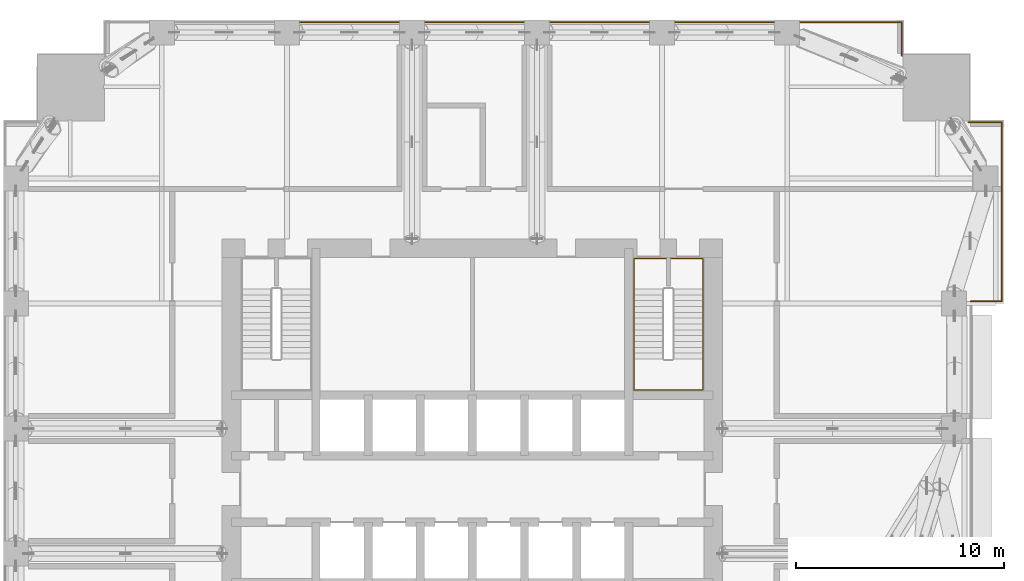
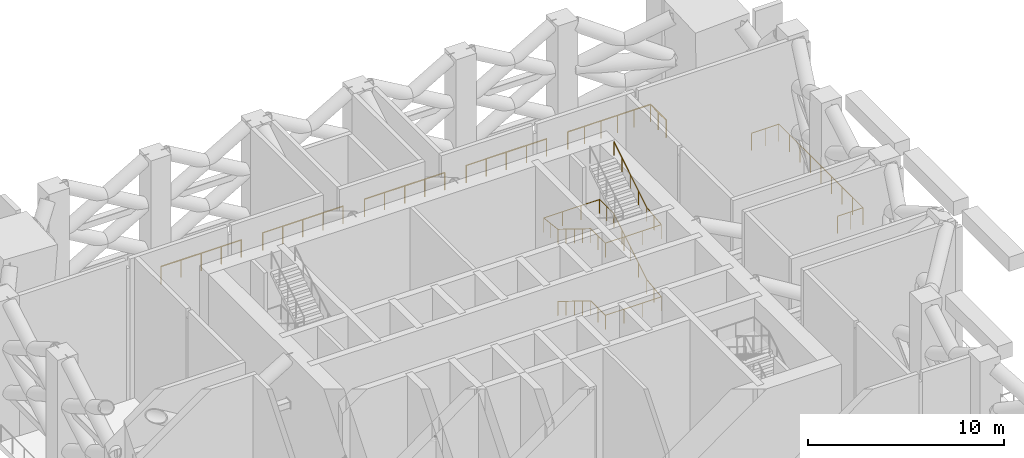
# One storey, part 18 of 18: 10 railings.
"""IFC4 building model written with IfcOpenShell, lengths in metres."""

from ifc_helpers import new_model, si_unit, direction, frame, origin, origin_2d, place, context, subcontext, project, spatial, circle, extrude, material, type_object, element, save


model = new_model("IFC4")

# Units and contexts
model_context = context("Model", 3, precision=1e-05, world=origin(), true_north=direction((0.0, 1.0)))
body_context = subcontext(model_context, "Body", "Model", "MODEL_VIEW")
ifc_project = project(units=[si_unit("LENGTHUNIT", "METRE"), si_unit("AREAUNIT", "SQUARE_METRE"), si_unit("VOLUMEUNIT", "CUBIC_METRE"), si_unit("PLANEANGLEUNIT", "RADIAN"), si_unit("MASSUNIT", "GRAM", prefix="KILO")], contexts=[model_context])

# Site, building, storey
site_placement = place(None, origin())
site = spatial("IfcSite", under=ifc_project, at=site_placement, CompositionType="ELEMENT")
building_placement = place(site_placement, origin())
building = spatial("IfcBuilding", under=site, at=building_placement, Name="Amberfall Residences", CompositionType="ELEMENT")
storey_placement = place(building_placement, frame((0.0, 0.0, 69.699951171875)))
storey = spatial("IfcBuildingStorey", under=building, at=storey_placement, Name="L19", CompositionType="ELEMENT", Elevation=69.699951171875)

# Railings
ifc_material_1 = material(Name="Bronze anodised aluminium and laminated glass", Category="aluminium")
railing_type_1 = type_object("IfcRailingType", Name="Refuge edge guard 1100", PredefinedType="GUARDRAIL", material=ifc_material_1)
for number, where, name in (
    (1, (66.22998046875, 67.89990234375, 0.0), "Refuge edge guard L19 21"),
    (2, (72.22998046875, 67.89990234375, 0.0), "Refuge edge guard L19 22"),
    (3, (78.22998046875, 67.89990234375, 0.0), "Refuge edge guard L19 23"),
    (4, (84.22998046875, 67.89990234375, 0.0), "Refuge edge guard L19 24"),
):
    element("IfcRailing", number, at=place(storey_placement, frame(where)), inside=storey, type_object=railing_type_1, Name=name, PredefinedType="GUARDRAIL", context=body_context, shape_type="SweptSolid", body=[
        extrude(circle(Radius=0.02392578125, at=origin_2d()), frame((0.0, 0.0, 1.076171875), z_axis=(1.0, 0.0, 0.0), x_axis=(0.0, 1.0, 0.0)), (0.0, 0.0, 1.0), 4.739990234375),
        extrude(circle(Radius=0.02099609375, at=origin_2d()), origin(), (0.0, 0.0, 1.0), 1.052001953125),
        extrude(circle(Radius=0.02099609375, at=origin_2d()), frame((1.18505859375, 0.0, 0.0)), (0.0, 0.0, 1.0), 1.052001953125),
        extrude(circle(Radius=0.02099609375, at=origin_2d()), frame((2.3701171875, 0.0, 0.0)), (0.0, 0.0, 1.0), 1.052001953125),
        extrude(circle(Radius=0.02099609375, at=origin_2d()), frame((3.554931640625, 0.0, 0.0)), (0.0, 0.0, 1.0), 1.052001953125),
        extrude(circle(Radius=0.02099609375, at=origin_2d()), frame((4.739990234375, 0.0, 0.0)), (0.0, 0.0, 1.0), 1.052001953125),
    ])
railing_1_placement = place(storey_placement, frame((90.22998046875, 67.89990234375, 0.0)))
element("IfcRailing", 5, at=railing_1_placement, inside=storey, type_object=railing_type_1, Name="Refuge edge guard L19 25", PredefinedType="GUARDRAIL", context=body_context, shape_type="SweptSolid", body=[
    extrude(circle(Radius=0.02392578125, at=origin_2d()), frame((0.0, 0.0, 1.076171875), z_axis=(1.0, 0.0, 0.0), x_axis=(0.0, 1.0, 0.0)), (0.0, 0.0, 1.0), 4.8701171875),
    extrude(circle(Radius=0.02099609375, at=origin_2d()), origin(), (0.0, 0.0, 1.0), 1.052001953125),
    extrude(circle(Radius=0.02099609375, at=origin_2d()), frame((0.97412109375, 0.0, 0.0)), (0.0, 0.0, 1.0), 1.052001953125),
    extrude(circle(Radius=0.02099609375, at=origin_2d()), frame((1.947998046875, 0.0, 0.0)), (0.0, 0.0, 1.0), 1.052001953125),
    extrude(circle(Radius=0.02099609375, at=origin_2d()), frame((2.922119140625, 0.0, 0.0)), (0.0, 0.0, 1.0), 1.052001953125),
    extrude(circle(Radius=0.02099609375, at=origin_2d()), frame((3.89599609375, 0.0, 0.0)), (0.0, 0.0, 1.0), 1.052001953125),
    extrude(circle(Radius=0.02099609375, at=origin_2d()), frame((4.8701171875, 0.0, 0.0)), (0.0, 0.0, 1.0), 1.052001953125),
])
railing_2_placement = place(storey_placement, frame((95.10009765625, 67.89990234375, 0.0)))
element("IfcRailing", 6, at=railing_2_placement, inside=storey, type_object=railing_type_1, Name="Refuge edge guard L19 26", PredefinedType="GUARDRAIL", context=body_context, shape_type="SweptSolid", body=[
    extrude(circle(Radius=0.02392578125, at=origin_2d()), frame((0.0, 0.0, 1.076171875), z_axis=(0.0, -1.0, 0.0), x_axis=(1.0, 0.0, 0.0)), (0.0, 0.0, 1.0), 1.608154296875),
    extrude(circle(Radius=0.02099609375, at=origin_2d()), origin(), (0.0, 0.0, 1.0), 1.052001953125),
    extrude(circle(Radius=0.02099609375, at=origin_2d()), frame((0.0, -0.80419921875, 0.0)), (0.0, 0.0, 1.0), 1.052001953125),
    extrude(circle(Radius=0.02099609375, at=origin_2d()), frame((0.0, -1.608154296875, 0.0)), (0.0, 0.0, 1.0), 1.052001953125),
])
railing_3_placement = place(storey_placement, frame((98.291748046875, 63.10009765625, 0.0)))
element("IfcRailing", 7, at=railing_3_placement, inside=storey, type_object=railing_type_1, Name="Refuge edge guard L19 27", PredefinedType="GUARDRAIL", context=body_context, shape_type="SweptSolid", body=[
    extrude(circle(Radius=0.02392578125, at=origin_2d()), frame((0.0, 0.0, 1.076171875), z_axis=(1.0, 0.0, 0.0), x_axis=(0.0, 1.0, 0.0)), (0.0, 0.0, 1.0), 1.608154296875),
    extrude(circle(Radius=0.02099609375, at=origin_2d()), origin(), (0.0, 0.0, 1.0), 1.052001953125),
    extrude(circle(Radius=0.02099609375, at=origin_2d()), frame((0.80419921875, 0.0, 0.0)), (0.0, 0.0, 1.0), 1.052001953125),
    extrude(circle(Radius=0.02099609375, at=origin_2d()), frame((1.608154296875, 0.0, 0.0)), (0.0, 0.0, 1.0), 1.052001953125),
])
railing_4_placement = place(storey_placement, frame((99.89990234375, 63.10009765625, 0.0)))
element("IfcRailing", 8, at=railing_4_placement, inside=storey, type_object=railing_type_1, Name="Refuge edge guard L19 28", PredefinedType="GUARDRAIL", context=body_context, shape_type="SweptSolid", body=[
    extrude(circle(Radius=0.02392578125, at=origin_2d()), frame((0.0, 0.0, 1.076171875), z_axis=(0.0, -1.0, 0.0), x_axis=(1.0, 0.0, 0.0)), (0.0, 0.0, 1.0), 8.60009765625),
    extrude(circle(Radius=0.02099609375, at=origin_2d()), origin(), (0.0, 0.0, 1.0), 1.052001953125),
    extrude(circle(Radius=0.02099609375, at=origin_2d()), frame((0.0, -1.074951171875, 0.0)), (0.0, 0.0, 1.0), 1.052001953125),
    extrude(circle(Radius=0.02099609375, at=origin_2d()), frame((0.0, -2.14990234375, 0.0)), (0.0, 0.0, 1.0), 1.052001953125),
    extrude(circle(Radius=0.02099609375, at=origin_2d()), frame((0.0, -3.22509765625, 0.0)), (0.0, 0.0, 1.0), 1.052001953125),
    extrude(circle(Radius=0.02099609375, at=origin_2d()), frame((0.0, -4.300048828125, 0.0)), (0.0, 0.0, 1.0), 1.052001953125),
    extrude(circle(Radius=0.02099609375, at=origin_2d()), frame((0.0, -5.375, 0.0)), (0.0, 0.0, 1.0), 1.052001953125),
    extrude(circle(Radius=0.02099609375, at=origin_2d()), frame((0.0, -6.4501953125, 0.0)), (0.0, 0.0, 1.0), 1.052001953125),
    extrude(circle(Radius=0.02099609375, at=origin_2d()), frame((0.0, -7.525146484375, 0.0)), (0.0, 0.0, 1.0), 1.052001953125),
    extrude(circle(Radius=0.02099609375, at=origin_2d()), frame((0.0, -8.60009765625, 0.0)), (0.0, 0.0, 1.0), 1.052001953125),
])
railing_5_placement = place(storey_placement, frame((99.89990234375, 54.5, 0.0)))
element("IfcRailing", 9, at=railing_5_placement, inside=storey, type_object=railing_type_1, Name="Refuge edge guard L19 29", PredefinedType="GUARDRAIL", context=body_context, shape_type="SweptSolid", body=[
    extrude(circle(Radius=0.02392578125, at=origin_2d()), frame((0.0, 0.0, 1.076171875), z_axis=(-1.0, 0.0, 0.0), x_axis=(0.0, -1.0, 0.0)), (0.0, 0.0, 1.0), 1.5),
    extrude(circle(Radius=0.02099609375, at=origin_2d()), origin(), (0.0, 0.0, 1.0), 1.052001953125),
    extrude(circle(Radius=0.02099609375, at=origin_2d()), frame((-0.75, 0.0, 0.0)), (0.0, 0.0, 1.0), 1.052001953125),
    extrude(circle(Radius=0.02099609375, at=origin_2d()), frame((-1.5, 0.0, 0.0)), (0.0, 0.0, 1.0), 1.052001953125),
])
ifc_material_2 = material(Name="Stainless steel 316", Category="steel")
railing_type_2 = type_object("IfcRailingType", Name="Stair handrail 900", PredefinedType="HANDRAIL", material=ifc_material_2)
railing_6_placement = place(storey_placement, frame((82.25, 55.10009765625, 0.173095703125)))
element("IfcRailing", 10, at=railing_6_placement, inside=storey, type_object=railing_type_2, Name="L19 stair 3 handrail", PredefinedType="HANDRAIL", context=body_context, shape_type="SweptSolid", body=[
    extrude(circle(Radius=0.02392578125, at=origin_2d()), frame((0.0, 0.0, 0.8759765625), z_axis=(0.0, -0.850623216509, 0.525775754039), x_axis=(1.0, 0.0, 0.0)), (0.0, 0.0, 1.0), 3.9501953125),
    extrude(circle(Radius=0.02392578125, at=origin_2d()), frame((0.0, -3.360107421875, 2.95263671875), z_axis=(0.0, -1.0, 0.0), x_axis=(1.0, 0.0, 0.0)), (0.0, 0.0, 1.0), 1.489990234375),
    extrude(circle(Radius=0.02392578125, at=origin_2d()), frame((0.0, -4.85009765625, 2.95263671875), z_axis=(1.0, 0.0, 0.0), x_axis=(0.0, 1.0, 0.0)), (0.0, 0.0, 1.0), 3.300048828125),
    extrude(circle(Radius=0.02392578125, at=origin_2d()), frame((3.300048828125, -4.85009765625, 2.95263671875), z_axis=(0.0, 0.993319533971, 0.115396288642), x_axis=(-1.0, 0.0, 0.0)), (0.0, 0.0, 1.0), 1.5),
    extrude(circle(Radius=0.02392578125, at=origin_2d()), frame((3.300048828125, -3.360107421875, 3.1259765625), z_axis=(0.0, 0.850623216509, 0.525775754039), x_axis=(-1.0, 0.0, 0.0)), (0.0, 0.0, 1.0), 3.9501953125),
    extrude(circle(Radius=0.02392578125, at=origin_2d()), frame((3.300048828125, 0.0, 5.20263671875), z_axis=(0.0, 1.0, 0.0), x_axis=(-1.0, 0.0, 0.0)), (0.0, 0.0, 1.0), 1.449951171875),
    extrude(circle(Radius=0.02392578125, at=origin_2d()), frame((3.300048828125, 1.449951171875, 5.20263671875), z_axis=(-1.0, 0.0, 0.0), x_axis=(0.0, -1.0, 0.0)), (0.0, 0.0, 1.0), 3.300048828125),
    extrude(circle(Radius=0.02392578125, at=origin_2d()), frame((0.0, 1.449951171875, 5.20263671875), z_axis=(0.0, -0.992949436845, 0.118538668248), x_axis=(1.0, 0.0, 0.0)), (0.0, 0.0, 1.0), 1.460205078125),
    extrude(circle(Radius=0.02392578125, at=origin_2d()), frame((0.0, 0.0, 5.3759765625), z_axis=(0.0, -0.850623216509, 0.525775754039), x_axis=(1.0, 0.0, 0.0)), (0.0, 0.0, 1.0), 3.9501953125),
    extrude(circle(Radius=0.02392578125, at=origin_2d()), frame((0.0, -3.360107421875, 7.45263671875), z_axis=(0.0, -1.0, 0.0), x_axis=(1.0, 0.0, 0.0)), (0.0, 0.0, 1.0), 1.489990234375),
    extrude(circle(Radius=0.02392578125, at=origin_2d()), frame((0.0, -4.85009765625, 7.45263671875), z_axis=(1.0, 0.0, 0.0), x_axis=(0.0, 1.0, 0.0)), (0.0, 0.0, 1.0), 3.300048828125),
    extrude(circle(Radius=0.02392578125, at=origin_2d()), frame((3.300048828125, -4.85009765625, 7.45263671875), z_axis=(0.0, 0.993319533971, 0.115396288642), x_axis=(-1.0, 0.0, 0.0)), (0.0, 0.0, 1.0), 1.5),
    extrude(circle(Radius=0.02392578125, at=origin_2d()), frame((3.300048828125, -3.360107421875, 7.6259765625), z_axis=(0.0, 0.850623216509, 0.525775754039), x_axis=(-1.0, 0.0, 0.0)), (0.0, 0.0, 1.0), 3.9501953125),
    extrude(circle(Radius=0.02099609375, at=origin_2d()), origin(), (0.0, 0.0, 1.0), 0.851806640625),
    extrude(circle(Radius=0.02099609375, at=origin_2d()), frame((0.0, -0.840087890625, 0.519287109375)), (0.0, 0.0, 1.0), 0.851806640625),
    extrude(circle(Radius=0.02099609375, at=origin_2d()), frame((0.0, -1.68017578125, 1.03857421875)), (0.0, 0.0, 1.0), 0.851806640625),
    extrude(circle(Radius=0.02099609375, at=origin_2d()), frame((0.0, -2.52001953125, 1.5576171875)), (0.0, 0.0, 1.0), 0.851806640625),
    extrude(circle(Radius=0.02099609375, at=origin_2d()), frame((0.0, -3.360107421875, 2.076904296875)), (0.0, 0.0, 1.0), 0.851806640625),
    extrude(circle(Radius=0.02099609375, at=origin_2d()), frame((0.0, -4.10498046875, 2.076904296875)), (0.0, 0.0, 1.0), 0.851806640625),
    extrude(circle(Radius=0.02099609375, at=origin_2d()), frame((0.0, -4.85009765625, 2.076904296875)), (0.0, 0.0, 1.0), 0.851806640625),
    extrude(circle(Radius=0.02099609375, at=origin_2d()), frame((1.10009765625, -4.85009765625, 2.076904296875)), (0.0, 0.0, 1.0), 0.851806640625),
    extrude(circle(Radius=0.02099609375, at=origin_2d()), frame((2.199951171875, -4.85009765625, 2.076904296875)), (0.0, 0.0, 1.0), 0.851806640625),
    extrude(circle(Radius=0.02099609375, at=origin_2d()), frame((3.300048828125, -4.85009765625, 2.076904296875)), (0.0, 0.0, 1.0), 0.851806640625),
    extrude(circle(Radius=0.02099609375, at=origin_2d()), frame((3.300048828125, -4.10498046875, 2.16357421875)), (0.0, 0.0, 1.0), 0.851806640625),
    extrude(circle(Radius=0.02099609375, at=origin_2d()), frame((3.300048828125, -3.360107421875, 2.25)), (0.0, 0.0, 1.0), 0.851806640625),
    extrude(circle(Radius=0.02099609375, at=origin_2d()), frame((3.300048828125, -2.52001953125, 2.769287109375)), (0.0, 0.0, 1.0), 0.851806640625),
    extrude(circle(Radius=0.02099609375, at=origin_2d()), frame((3.300048828125, -1.68017578125, 3.28857421875)), (0.0, 0.0, 1.0), 0.851806640625),
    extrude(circle(Radius=0.02099609375, at=origin_2d()), frame((3.300048828125, -0.840087890625, 3.8076171875)), (0.0, 0.0, 1.0), 0.851806640625),
    extrude(circle(Radius=0.02099609375, at=origin_2d()), frame((3.300048828125, 0.0, 4.326904296875)), (0.0, 0.0, 1.0), 0.851806640625),
    extrude(circle(Radius=0.02099609375, at=origin_2d()), frame((3.300048828125, 0.72509765625, 4.326904296875)), (0.0, 0.0, 1.0), 0.851806640625),
    extrude(circle(Radius=0.02099609375, at=origin_2d()), frame((3.300048828125, 1.449951171875, 4.326904296875)), (0.0, 0.0, 1.0), 0.851806640625),
    extrude(circle(Radius=0.02099609375, at=origin_2d()), frame((2.199951171875, 1.449951171875, 4.326904296875)), (0.0, 0.0, 1.0), 0.851806640625),
    extrude(circle(Radius=0.02099609375, at=origin_2d()), frame((1.10009765625, 1.449951171875, 4.326904296875)), (0.0, 0.0, 1.0), 0.851806640625),
    extrude(circle(Radius=0.02099609375, at=origin_2d()), frame((0.0, 1.449951171875, 4.326904296875)), (0.0, 0.0, 1.0), 0.851806640625),
    extrude(circle(Radius=0.02099609375, at=origin_2d()), frame((0.0, 0.72509765625, 4.41357421875)), (0.0, 0.0, 1.0), 0.851806640625),
    extrude(circle(Radius=0.02099609375, at=origin_2d()), frame((0.0, 0.0, 4.5)), (0.0, 0.0, 1.0), 0.851806640625),
    extrude(circle(Radius=0.02099609375, at=origin_2d()), frame((0.0, -0.840087890625, 5.019287109375)), (0.0, 0.0, 1.0), 0.851806640625),
    extrude(circle(Radius=0.02099609375, at=origin_2d()), frame((0.0, -1.68017578125, 5.53857421875)), (0.0, 0.0, 1.0), 0.851806640625),
    extrude(circle(Radius=0.02099609375, at=origin_2d()), frame((0.0, -2.52001953125, 6.0576171875)), (0.0, 0.0, 1.0), 0.851806640625),
    extrude(circle(Radius=0.02099609375, at=origin_2d()), frame((0.0, -3.360107421875, 6.576904296875)), (0.0, 0.0, 1.0), 0.851806640625),
    extrude(circle(Radius=0.02099609375, at=origin_2d()), frame((0.0, -4.10498046875, 6.576904296875)), (0.0, 0.0, 1.0), 0.851806640625),
    extrude(circle(Radius=0.02099609375, at=origin_2d()), frame((0.0, -4.85009765625, 6.576904296875)), (0.0, 0.0, 1.0), 0.851806640625),
    extrude(circle(Radius=0.02099609375, at=origin_2d()), frame((1.10009765625, -4.85009765625, 6.576904296875)), (0.0, 0.0, 1.0), 0.851806640625),
    extrude(circle(Radius=0.02099609375, at=origin_2d()), frame((2.199951171875, -4.85009765625, 6.576904296875)), (0.0, 0.0, 1.0), 0.851806640625),
    extrude(circle(Radius=0.02099609375, at=origin_2d()), frame((3.300048828125, -4.85009765625, 6.576904296875)), (0.0, 0.0, 1.0), 0.851806640625),
    extrude(circle(Radius=0.02099609375, at=origin_2d()), frame((3.300048828125, -4.10498046875, 6.66357421875)), (0.0, 0.0, 1.0), 0.851806640625),
    extrude(circle(Radius=0.02099609375, at=origin_2d()), frame((3.300048828125, -3.360107421875, 6.75)), (0.0, 0.0, 1.0), 0.851806640625),
    extrude(circle(Radius=0.02099609375, at=origin_2d()), frame((3.300048828125, -2.52001953125, 7.269287109375)), (0.0, 0.0, 1.0), 0.851806640625),
    extrude(circle(Radius=0.02099609375, at=origin_2d()), frame((3.300048828125, -1.68017578125, 7.78857421875)), (0.0, 0.0, 1.0), 0.851806640625),
    extrude(circle(Radius=0.02099609375, at=origin_2d()), frame((3.300048828125, -0.840087890625, 8.3076171875)), (0.0, 0.0, 1.0), 0.851806640625),
    extrude(circle(Radius=0.02099609375, at=origin_2d()), frame((3.300048828125, 0.0, 8.826904296875)), (0.0, 0.0, 1.0), 0.851806640625),
])

save(model, "model.ifc")
